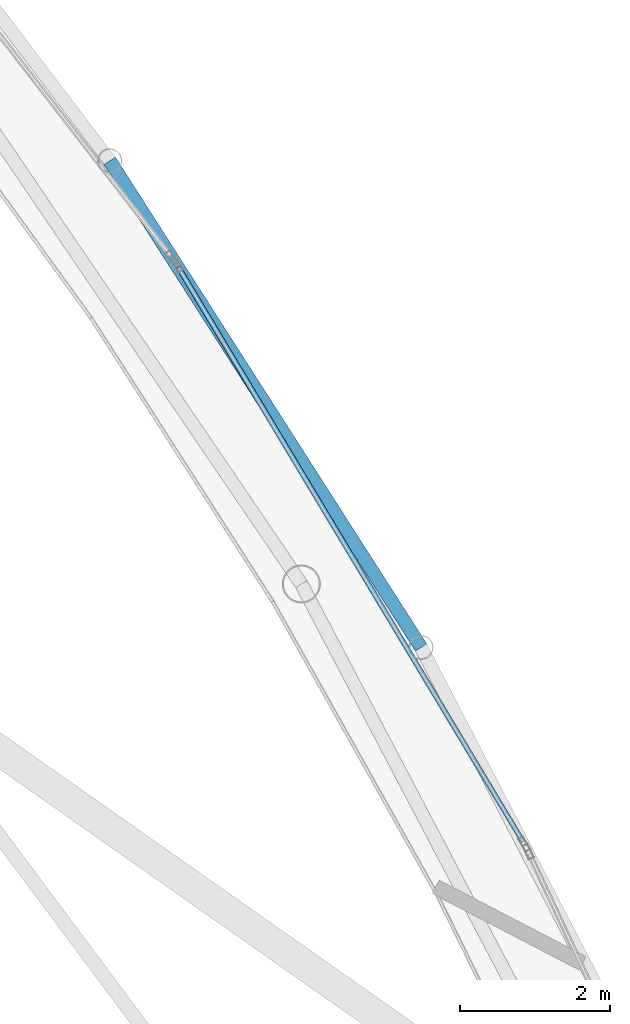
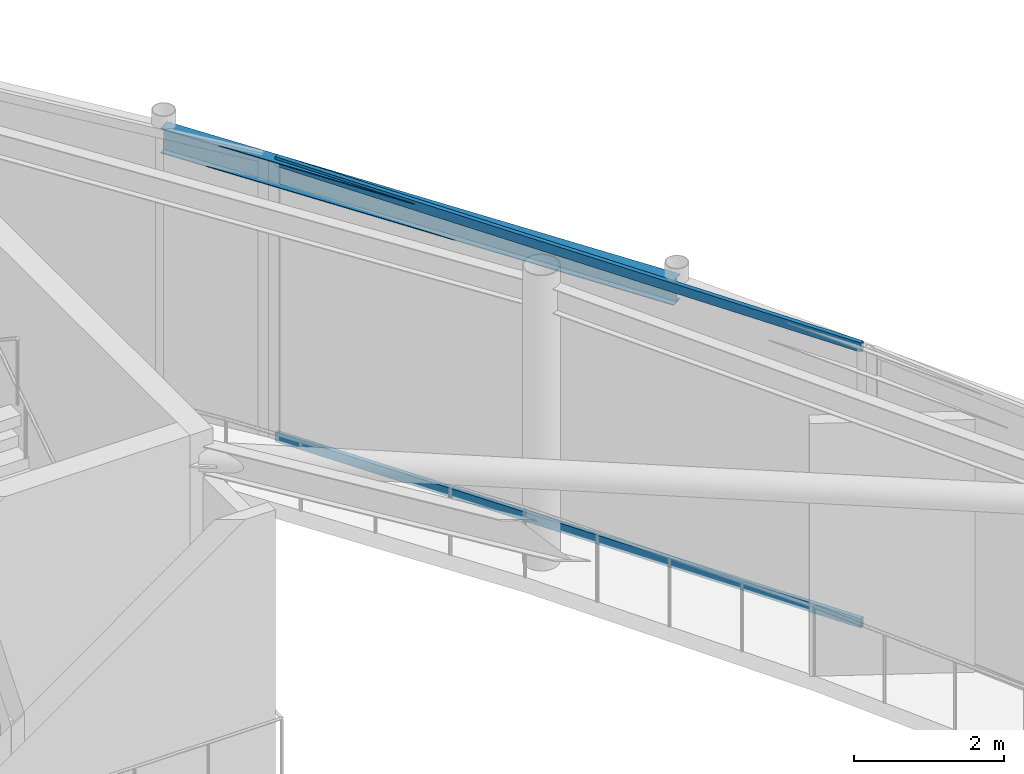
# One storey, part 14 of 20: 2 members, 1 beam, 1 element without a shape of its own.
"""IFC4 building model written with IfcOpenShell, lengths in metres."""

from ifc_helpers import new_model, si_unit, direction, frame, origin, origin_2d, place, context, subcontext, project, spatial, hollow_rectangle, i_section, extrude, material, layer, layer_set, material_profile, profile_set, type_object, element, aggregate, save


model = new_model("IFC4")

# Units and contexts
model_context = context("Model", 3, precision=1e-05, world=origin(), true_north=direction((0.0, 1.0)))
body_context = subcontext(model_context, "Body", "Model", "MODEL_VIEW")
ifc_project = project(units=[si_unit("LENGTHUNIT", "METRE"), si_unit("AREAUNIT", "SQUARE_METRE"), si_unit("VOLUMEUNIT", "CUBIC_METRE"), si_unit("PLANEANGLEUNIT", "RADIAN"), si_unit("MASSUNIT", "GRAM", prefix="KILO")], contexts=[model_context])

# Site, building, storey
site_placement = place(None, origin())
site = spatial("IfcSite", under=ifc_project, at=site_placement, CompositionType="ELEMENT")
building_placement = place(site_placement, origin())
building = spatial("IfcBuilding", under=site, at=building_placement, Name="Orvanel Arch Residences", CompositionType="ELEMENT")
storey_placement = place(building_placement, frame((0.0, 0.0, 305.300048828125)))
storey = spatial("IfcBuildingStorey", under=building, at=storey_placement, Name="L85", CompositionType="ELEMENT", Elevation=305.300048828125)

# Beam
ifc_material_1 = material(Name="Structural steel AS/NZS 3679.1 Grade 300 (300 MPa)", Category="steel")
ifc_material_profile_1 = material_profile(ifc_material_1, i_section(OverallWidth=0.177978515625, OverallDepth=0.406005859375, WebThickness=0.0078125, FlangeThickness=0.0126953125, at=origin_2d()), Name="410UB59.7")
ifc_profile_set_1 = profile_set([ifc_material_profile_1], Name="Structural steel AS/NZS 3679.1 Grade 300 (300 MPa)")
beam_type = type_object("IfcBeamType", Name="OB-410UB-EXT", PredefinedType="SPANDREL", material=ifc_profile_set_1)
beam_placement = place(storey_placement, frame((47.027099609375, 26.7958984375, 4.346923828125), z_axis=(-0.538901583392, 0.842368733642, 0.0), x_axis=(-0.842368733642, -0.538901583392, 0.0)))
element("IfcBeam", 1, at=beam_placement, inside=storey, type_object=beam_type, Name="L85 Outer Perimeter Floor Ring Beam 10", PredefinedType="SPANDREL", context=body_context, shape_type="SweptSolid", body=[
    extrude(i_section(OverallWidth=0.177978515625, OverallDepth=0.406005859375, WebThickness=0.0078125, FlangeThickness=0.0126953125, at=origin_2d()), origin(), (0.0, 0.0, 1.0), 7.697509765625),
])

# Curtain wall, members
ifc_material_2 = material(Name="Bronze-anodised aluminium AA6063-T6", Category="aluminium")
ifc_layer = layer(ifc_material_2, 0.2099609375)
ifc_layer_set = layer_set([ifc_layer], Name="Bronze-anodised aluminium AA6063-T6")
curtain_wall_type = type_object("IfcCurtainWallType", Name="CW7-TOP-SYS", PredefinedType="NOTDEFINED", material=ifc_layer_set)
curtain_wall_placement = place(storey_placement, origin())
curtain_wall = element("IfcCurtainWall", 2, at=curtain_wall_placement, inside=storey, type_object=curtain_wall_type, Name="L85 CW7-TOP-SYS Unitised Curtain Wall", PredefinedType="NOTDEFINED")
ifc_material_profile_2 = material_profile(ifc_material_2, hollow_rectangle(XDim=0.06494140625, YDim=0.14990234375, WallThickness=0.00390625, at=origin_2d()), Name="ALU150x65x4")
ifc_profile_set_2 = profile_set([ifc_material_profile_2], Name="Bronze-anodised aluminium AA6063-T6")
member_type = type_object("IfcMemberType", Name="TRN-150x65", PredefinedType="USERDEFINED", material=ifc_profile_set_2)
member_1_placement = place(storey_placement, frame((48.38330078125, 24.208251953125, 0.032470703125), z_axis=(-0.514447475071, 0.857521892078, 0.0), x_axis=(-0.857521892078, -0.514447475071, 0.0)))
member_1 = element("IfcMember", 3, at=member_1_placement, type_object=member_type, Name="CW-S7 transom 1.1", ObjectType="TRANSOM", PredefinedType="USERDEFINED", context=body_context, shape_type="SweptSolid", body=[
    extrude(hollow_rectangle(XDim=0.06494140625, YDim=0.14990234375, WallThickness=0.00390625, at=origin_2d()), origin(), (0.0, 0.0, 1.0), 8.923828125),
])
member_2_placement = place(storey_placement, frame((48.38330078125, 24.208251953125, 4.517333984375), z_axis=(-0.514447475071, 0.857521892078, 0.0), x_axis=(-0.857521892078, -0.514447475071, 0.0)))
member_2 = element("IfcMember", 4, at=member_2_placement, type_object=member_type, Name="CW-S7 transom 1.2", ObjectType="TRANSOM", PredefinedType="USERDEFINED", context=body_context, shape_type="SweptSolid", body=[
    extrude(hollow_rectangle(XDim=0.06494140625, YDim=0.14990234375, WallThickness=0.00390625, at=origin_2d()), origin(), (0.0, 0.0, 1.0), 8.923828125),
])
aggregate(curtain_wall, [member_1, member_2])

save(model, "model.ifc")
